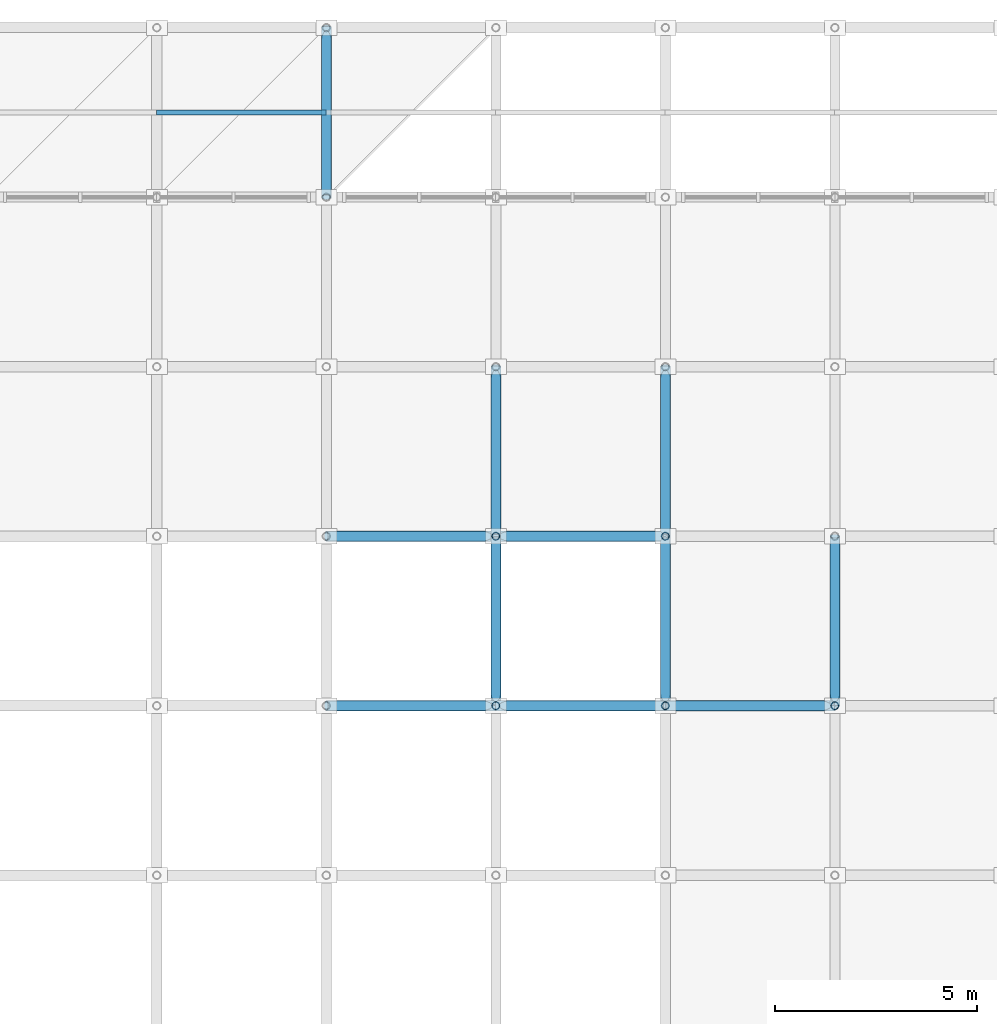
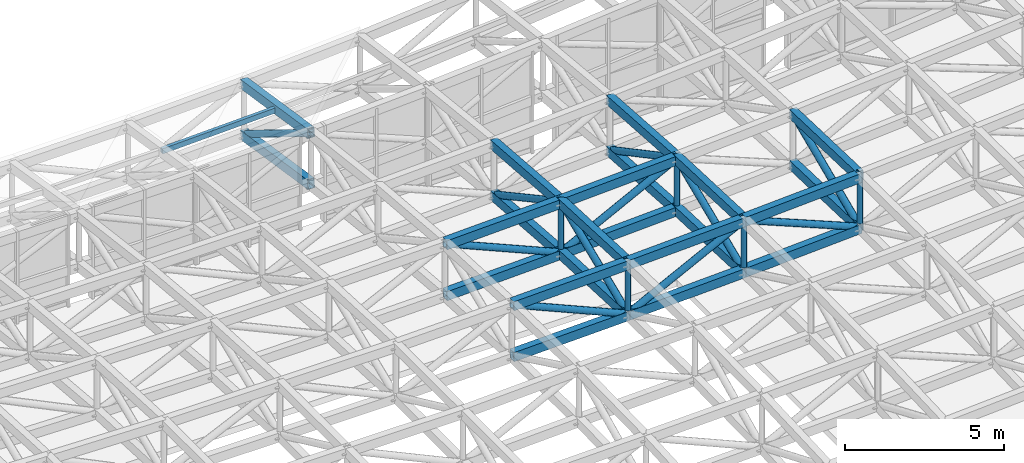
# One storey, part 53 of 111: 39 members.
"""IFC4 building model written with IfcOpenShell, lengths in metres."""

from ifc_helpers import new_model, si_unit, direction, frame, origin, origin_2d, place, context, subcontext, project, spatial, hollow_rectangle, hollow_circle, extrude, material, material_profile, profile_set, type_object, element, save


model = new_model("IFC4")

# Units and contexts
model_context = context("Model", 3, precision=1e-05, world=origin(), true_north=direction((0.0, 1.0)))
body_context = subcontext(model_context, "Body", "Model", "MODEL_VIEW")
ifc_project = project(units=[si_unit("LENGTHUNIT", "METRE"), si_unit("AREAUNIT", "SQUARE_METRE"), si_unit("VOLUMEUNIT", "CUBIC_METRE"), si_unit("PLANEANGLEUNIT", "RADIAN"), si_unit("MASSUNIT", "GRAM", prefix="KILO")], contexts=[model_context])

# Site, building, storey
site_placement = place(None, origin())
site = spatial("IfcSite", under=ifc_project, at=site_placement, CompositionType="ELEMENT")
building_placement = place(site_placement, origin())
building = spatial("IfcBuilding", under=site, at=building_placement, Name="Cumbredor Promenade Congress Hotel", CompositionType="ELEMENT")
storey_placement = place(building_placement, frame((0.0, 0.0, 15.1201171875)))
storey = spatial("IfcBuildingStorey", under=building, at=storey_placement, Name="L04", CompositionType="ELEMENT", Elevation=15.1201171875)

# Members
ifc_material = material(Name="Steel ASTM A500 Grade C", Category="steel")
ifc_material_profile_1 = material_profile(ifc_material, hollow_rectangle(XDim=0.25, YDim=0.35009765625, WallThickness=0.01611328125, at=origin_2d()), Name="HSS 350x250x16")
ifc_profile_set_1 = profile_set([ifc_material_profile_1], Name="Steel ASTM A500 Grade C")
member_type_1 = type_object("IfcMemberType", Name="Forum Roof Truss Chord", PredefinedType="CHORD", material=ifc_profile_set_1)
for number, where, z_axis, x_axis, name in (
    (1, (142.800048828125, 105.0, 4.567626953125), (0.999579574773, 0.0, 0.028994373529), (0.0, 1.0, 0.0), "Pre-Function and Breakout Meeting Forum X Top Chord 14.7"),
    (2, (142.800048828125, 105.0, 2.61767578125), (0.999579574773, 0.0, 0.028994373529), (0.0, 1.0, 0.0), "Pre-Function and Breakout Meeting Forum X Bottom Chord 14.7"),
):
    element("IfcMember", number, at=place(storey_placement, frame(where, z_axis=z_axis, x_axis=x_axis)), inside=storey, type_object=member_type_1, Name=name, PredefinedType="CHORD", context=body_context, shape_type="SweptSolid", body=[
        extrude(hollow_rectangle(XDim=0.25, YDim=0.35009765625, WallThickness=0.01611328125, at=origin_2d()), origin(), (0.0, 0.0, 1.0), 4.20166015625),
    ])
for number, where, z_axis, x_axis, name in (
    (3, (147.0, 105.0, 4.689453125), (0.999182576071, 0.0, 0.040424988255), (0.0, 1.0, 0.0), "Pre-Function and Breakout Meeting Forum X Top Chord 15.7"),
    (4, (147.0, 105.0, 2.739501953125), (0.999182576071, 0.0, 0.040424988255), (0.0, 1.0, 0.0), "Pre-Function and Breakout Meeting Forum X Bottom Chord 15.7"),
):
    element("IfcMember", number, at=place(storey_placement, frame(where, z_axis=z_axis, x_axis=x_axis)), inside=storey, type_object=member_type_1, Name=name, PredefinedType="CHORD", context=body_context, shape_type="SweptSolid", body=[
        extrude(hollow_rectangle(XDim=0.25, YDim=0.35009765625, WallThickness=0.01611328125, at=origin_2d()), origin(), (0.0, 0.0, 1.0), 4.203369140625),
    ])
for number, where, z_axis, x_axis, name in (
    (5, (151.199951171875, 105.0, 4.859375), (0.998643368037, 0.0, 0.052071330648), (0.0, 1.0, 0.0), "Pre-Function and Breakout Meeting Forum X Top Chord 16.7"),
    (6, (151.199951171875, 105.0, 2.909423828125), (0.998643368037, 0.0, 0.052071330648), (0.0, 1.0, 0.0), "Pre-Function and Breakout Meeting Forum X Bottom Chord 16.7"),
):
    element("IfcMember", number, at=place(storey_placement, frame(where, z_axis=z_axis, x_axis=x_axis)), inside=storey, type_object=member_type_1, Name=name, PredefinedType="CHORD", context=body_context, shape_type="SweptSolid", body=[
        extrude(hollow_rectangle(XDim=0.25, YDim=0.35009765625, WallThickness=0.01611328125, at=origin_2d()), origin(), (0.0, 0.0, 1.0), 4.20556640625),
    ])
for number, where, z_axis, x_axis, name in (
    (7, (142.800048828125, 109.199951171875, 4.353271484375), (0.999447676196, 0.0, 0.033231649758), (0.0, 1.0, 0.0), "Pre-Function and Breakout Meeting Forum X Top Chord 14.8"),
    (8, (142.800048828125, 109.199951171875, 2.4033203125), (0.999447676196, 0.0, 0.033231649758), (0.0, 1.0, 0.0), "Pre-Function and Breakout Meeting Forum X Bottom Chord 14.8"),
):
    element("IfcMember", number, at=place(storey_placement, frame(where, z_axis=z_axis, x_axis=x_axis)), inside=storey, type_object=member_type_1, Name=name, PredefinedType="CHORD", context=body_context, shape_type="SweptSolid", body=[
        extrude(hollow_rectangle(XDim=0.25, YDim=0.35009765625, WallThickness=0.01611328125, at=origin_2d()), origin(), (0.0, 0.0, 1.0), 4.202392578125),
    ])
for number, where, z_axis, x_axis, name in (
    (9, (147.0, 109.199951171875, 4.492919921875), (0.998923154887, 0.0, 0.046395372944), (0.0, 1.0, 0.0), "Pre-Function and Breakout Meeting Forum X Top Chord 15.8"),
    (10, (147.0, 109.199951171875, 2.54296875), (0.998923154887, 0.0, 0.046395372944), (0.0, 1.0, 0.0), "Pre-Function and Breakout Meeting Forum X Bottom Chord 15.8"),
):
    element("IfcMember", number, at=place(storey_placement, frame(where, z_axis=z_axis, x_axis=x_axis)), inside=storey, type_object=member_type_1, Name=name, PredefinedType="CHORD", context=body_context, shape_type="SweptSolid", body=[
        extrude(hollow_rectangle(XDim=0.25, YDim=0.35009765625, WallThickness=0.01611328125, at=origin_2d()), origin(), (0.0, 0.0, 1.0), 4.20458984375),
    ])
for number, where, z_axis, x_axis, name in (
    (11, (142.800048828125, 117.60009765625, 3.49609375), (0.0, 0.988549058169, -0.15089983298), (-1.0, 0.0, 0.0), "Pre-Function and Breakout Meeting Forum Y Top Chord 14.10"),
    (12, (142.800048828125, 117.60009765625, 1.546142578125), (0.0, 0.988549058169, -0.15089983298), (-1.0, 0.0, 0.0), "Pre-Function and Breakout Meeting Forum Y Bottom Chord 14.10"),
):
    element("IfcMember", number, at=place(storey_placement, frame(where, z_axis=z_axis, x_axis=x_axis)), inside=storey, type_object=member_type_1, Name=name, PredefinedType="CHORD", context=body_context, shape_type="SweptSolid", body=[
        extrude(hollow_rectangle(XDim=0.25, YDim=0.35009765625, WallThickness=0.01611328125, at=origin_2d()), origin(), (0.0, 0.0, 1.0), 4.24853515625),
    ])
for number, where, z_axis, x_axis, name in (
    (13, (147.0, 105.0, 4.689453125), (0.0, 0.998906947877, -0.046743015349), (-1.0, 0.0, 0.0), "Pre-Function and Breakout Meeting Forum Y Top Chord 15.7"),
    (14, (147.0, 105.0, 2.739501953125), (0.0, 0.998906947877, -0.046743015349), (-1.0, 0.0, 0.0), "Pre-Function and Breakout Meeting Forum Y Bottom Chord 15.7"),
):
    element("IfcMember", number, at=place(storey_placement, frame(where, z_axis=z_axis, x_axis=x_axis)), inside=storey, type_object=member_type_1, Name=name, PredefinedType="CHORD", context=body_context, shape_type="SweptSolid", body=[
        extrude(hollow_rectangle(XDim=0.25, YDim=0.35009765625, WallThickness=0.01611328125, at=origin_2d()), origin(), (0.0, 0.0, 1.0), 4.20458984375),
    ])
for number, where, z_axis, x_axis, name in (
    (15, (147.0, 109.199951171875, 4.492919921875), (0.0, 0.996975556685, -0.07771576013), (-1.0, 0.0, 0.0), "Pre-Function and Breakout Meeting Forum Y Top Chord 15.8"),
    (16, (147.0, 109.199951171875, 2.54296875), (0.0, 0.996975556685, -0.07771576013), (-1.0, 0.0, 0.0), "Pre-Function and Breakout Meeting Forum Y Bottom Chord 15.8"),
):
    element("IfcMember", number, at=place(storey_placement, frame(where, z_axis=z_axis, x_axis=x_axis)), inside=storey, type_object=member_type_1, Name=name, PredefinedType="CHORD", context=body_context, shape_type="SweptSolid", body=[
        extrude(hollow_rectangle(XDim=0.25, YDim=0.35009765625, WallThickness=0.01611328125, at=origin_2d()), origin(), (0.0, 0.0, 1.0), 4.212646484375),
    ])
for number, where, z_axis, x_axis, name in (
    (17, (151.199951171875, 105.0, 4.859375), (0.0, 0.999168439458, -0.040772902662), (-1.0, 0.0, 0.0), "Pre-Function and Breakout Meeting Forum Y Top Chord 16.7"),
    (18, (151.199951171875, 105.0, 2.909423828125), (0.0, 0.999168439458, -0.040772902662), (-1.0, 0.0, 0.0), "Pre-Function and Breakout Meeting Forum Y Bottom Chord 16.7"),
):
    element("IfcMember", number, at=place(storey_placement, frame(where, z_axis=z_axis, x_axis=x_axis)), inside=storey, type_object=member_type_1, Name=name, PredefinedType="CHORD", context=body_context, shape_type="SweptSolid", body=[
        extrude(hollow_rectangle(XDim=0.25, YDim=0.35009765625, WallThickness=0.01611328125, at=origin_2d()), origin(), (0.0, 0.0, 1.0), 4.203369140625),
    ])
for number, where, z_axis, x_axis, name in (
    (19, (151.199951171875, 109.199951171875, 4.68798828125), (0.0, 0.997695217775, -0.067854641911), (-1.0, 0.0, 0.0), "Pre-Function and Breakout Meeting Forum Y Top Chord 16.8"),
    (20, (151.199951171875, 109.199951171875, 2.738037109375), (0.0, 0.997695217775, -0.067854641911), (-1.0, 0.0, 0.0), "Pre-Function and Breakout Meeting Forum Y Bottom Chord 16.8"),
):
    element("IfcMember", number, at=place(storey_placement, frame(where, z_axis=z_axis, x_axis=x_axis)), inside=storey, type_object=member_type_1, Name=name, PredefinedType="CHORD", context=body_context, shape_type="SweptSolid", body=[
        extrude(hollow_rectangle(XDim=0.25, YDim=0.35009765625, WallThickness=0.01611328125, at=origin_2d()), origin(), (0.0, 0.0, 1.0), 4.209716796875),
    ])
for number, where, z_axis, x_axis, name in (
    (21, (155.39990234375, 105.0, 5.078369140625), (0.0, 0.999449604118, -0.033173616459), (-1.0, 0.0, 0.0), "Pre-Function and Breakout Meeting Forum Y Top Chord 17.7"),
    (22, (155.39990234375, 105.0, 3.12841796875), (0.0, 0.999449604118, -0.033173616459), (-1.0, 0.0, 0.0), "Pre-Function and Breakout Meeting Forum Y Bottom Chord 17.7"),
):
    element("IfcMember", number, at=place(storey_placement, frame(where, z_axis=z_axis, x_axis=x_axis)), inside=storey, type_object=member_type_1, Name=name, PredefinedType="CHORD", context=body_context, shape_type="SweptSolid", body=[
        extrude(hollow_rectangle(XDim=0.25, YDim=0.35009765625, WallThickness=0.01611328125, at=origin_2d()), origin(), (0.0, 0.0, 1.0), 4.2021484375),
    ])
ifc_material_profile_2 = material_profile(ifc_material, hollow_rectangle(XDim=0.1201171875, YDim=0.199951171875, WallThickness=0.010009765625, at=origin_2d()), Name="HSS 200x120x10")
ifc_profile_set_2 = profile_set([ifc_material_profile_2], Name="Steel ASTM A500 Grade C")
member_type_2 = type_object("IfcMemberType", Name="Roof Purlin HSS200x120", PredefinedType="PURLIN", material=ifc_profile_set_2)
member_1_placement = place(storey_placement, frame((138.60009765625, 119.699951171875, 3.01318359375), z_axis=(0.999426247166, 0.0, 0.033869993728), x_axis=(0.0, 1.0, 0.0)))
element("IfcMember", 23, at=member_1_placement, inside=storey, type_object=member_type_2, Name="Pre-Function and Breakout Meeting Forum Roof Eave Purlin 13.10", PredefinedType="PURLIN", context=body_context, shape_type="SweptSolid", body=[
    extrude(hollow_rectangle(XDim=0.1201171875, YDim=0.199951171875, WallThickness=0.010009765625, at=origin_2d()), origin(), (0.0, 0.0, 1.0), 4.202392578125),
])
ifc_material_profile_3 = material_profile(ifc_material, hollow_circle(Radius=0.122314453125, WallThickness=0.012451171875, at=origin_2d()), Name="CHS 244.5x12.5")
ifc_profile_set_3 = profile_set([ifc_material_profile_3], Name="Steel ASTM A500 Grade C")
member_type_3 = type_object("IfcMemberType", Name="Space Frame Web Diagonal D2", PredefinedType="BRACE", material=ifc_profile_set_3)
member_2_placement = place(storey_placement, frame((142.800048828125, 105.0, 4.567626953125), z_axis=(0.916905589781, 0.0, -0.399104171149), x_axis=(0.0, 1.0, 0.0)))
element("IfcMember", 24, at=member_2_placement, inside=storey, type_object=member_type_3, Name="Pre-Function and Breakout Meeting Forum X Web Diagonal 14.7", PredefinedType="BRACE", context=body_context, shape_type="SweptSolid", body=[
    extrude(hollow_circle(Radius=0.122314453125, WallThickness=0.012451171875, at=origin_2d()), origin(), (0.0, 0.0, 1.0), 4.58056640625),
])
member_3_placement = place(storey_placement, frame((147.0, 105.0, 2.739501953125), z_axis=(0.892729053499, 0.0, 0.450593871507), x_axis=(0.0, 1.0, 0.0)))
element("IfcMember", 25, at=member_3_placement, inside=storey, type_object=member_type_3, Name="Pre-Function and Breakout Meeting Forum X Web Diagonal 15.7", PredefinedType="BRACE", context=body_context, shape_type="SweptSolid", body=[
    extrude(hollow_circle(Radius=0.122314453125, WallThickness=0.012451171875, at=origin_2d()), origin(), (0.0, 0.0, 1.0), 4.70458984375),
])
member_4_placement = place(storey_placement, frame((151.199951171875, 105.0, 4.859375), z_axis=(0.924556730189, 0.0, -0.381044423475), x_axis=(0.0, 1.0, 0.0)))
element("IfcMember", 26, at=member_4_placement, inside=storey, type_object=member_type_3, Name="Pre-Function and Breakout Meeting Forum X Web Diagonal 16.7", PredefinedType="BRACE", context=body_context, shape_type="SweptSolid", body=[
    extrude(hollow_circle(Radius=0.122314453125, WallThickness=0.012451171875, at=origin_2d()), origin(), (0.0, 0.0, 1.0), 4.542724609375),
])
member_5_placement = place(storey_placement, frame((142.800048828125, 109.199951171875, 4.353271484375), z_axis=(0.918325759137, 0.0, -0.395825466721), x_axis=(0.0, 1.0, 0.0)))
element("IfcMember", 27, at=member_5_placement, inside=storey, type_object=member_type_3, Name="Pre-Function and Breakout Meeting Forum X Web Diagonal 14.8", PredefinedType="BRACE", context=body_context, shape_type="SweptSolid", body=[
    extrude(hollow_circle(Radius=0.122314453125, WallThickness=0.012451171875, at=origin_2d()), origin(), (0.0, 0.0, 1.0), 4.573486328125),
])
member_6_placement = place(storey_placement, frame((147.0, 109.199951171875, 2.54296875), z_axis=(0.890574034395, 0.0, 0.45483831112), x_axis=(0.0, 1.0, 0.0)))
element("IfcMember", 28, at=member_6_placement, inside=storey, type_object=member_type_3, Name="Pre-Function and Breakout Meeting Forum X Web Diagonal 15.8", PredefinedType="BRACE", context=body_context, shape_type="SweptSolid", body=[
    extrude(hollow_circle(Radius=0.122314453125, WallThickness=0.012451171875, at=origin_2d()), origin(), (0.0, 0.0, 1.0), 4.716064453125),
])
member_7_placement = place(storey_placement, frame((142.800048828125, 117.60009765625, 3.49609375), z_axis=(0.0, 0.851071760638, -0.525049386482), x_axis=(-1.0, 0.0, 0.0)))
element("IfcMember", 29, at=member_7_placement, inside=storey, type_object=member_type_3, Name="Pre-Function and Breakout Meeting Forum Y Web Diagonal 14.10", PredefinedType="BRACE", context=body_context, shape_type="SweptSolid", body=[
    extrude(hollow_circle(Radius=0.122314453125, WallThickness=0.012451171875, at=origin_2d()), origin(), (0.0, 0.0, 1.0), 4.934814453125),
])
member_8_placement = place(storey_placement, frame((147.0, 105.0, 2.739501953125), z_axis=(0.0, 0.922808487132, 0.385258998697), x_axis=(-1.0, 0.0, 0.0)))
element("IfcMember", 30, at=member_8_placement, inside=storey, type_object=member_type_3, Name="Pre-Function and Breakout Meeting Forum Y Web Diagonal 15.7", PredefinedType="BRACE", context=body_context, shape_type="SweptSolid", body=[
    extrude(hollow_circle(Radius=0.122314453125, WallThickness=0.012451171875, at=origin_2d()), origin(), (0.0, 0.0, 1.0), 4.55126953125),
])
member_9_placement = place(storey_placement, frame((147.0, 109.199951171875, 4.492919921875), z_axis=(0.0, 0.879084119381, -0.476666666604), x_axis=(-1.0, 0.0, 0.0)))
element("IfcMember", 31, at=member_9_placement, inside=storey, type_object=member_type_3, Name="Pre-Function and Breakout Meeting Forum Y Web Diagonal 15.8", PredefinedType="BRACE", context=body_context, shape_type="SweptSolid", body=[
    extrude(hollow_circle(Radius=0.122314453125, WallThickness=0.012451171875, at=origin_2d()), origin(), (0.0, 0.0, 1.0), 4.777587890625),
])
member_10_placement = place(storey_placement, frame((151.199951171875, 105.0, 2.909423828125), z_axis=(0.0, 0.920836435886, 0.389949045831), x_axis=(-1.0, 0.0, 0.0)))
element("IfcMember", 32, at=member_10_placement, inside=storey, type_object=member_type_3, Name="Pre-Function and Breakout Meeting Forum Y Web Diagonal 16.7", PredefinedType="BRACE", context=body_context, shape_type="SweptSolid", body=[
    extrude(hollow_circle(Radius=0.122314453125, WallThickness=0.012451171875, at=origin_2d()), origin(), (0.0, 0.0, 1.0), 4.56103515625),
])
member_11_placement = place(storey_placement, frame((151.199951171875, 109.199951171875, 4.68798828125), z_axis=(0.0, 0.882734744534, -0.469871653531), x_axis=(-1.0, 0.0, 0.0)))
element("IfcMember", 33, at=member_11_placement, inside=storey, type_object=member_type_3, Name="Pre-Function and Breakout Meeting Forum Y Web Diagonal 16.8", PredefinedType="BRACE", context=body_context, shape_type="SweptSolid", body=[
    extrude(hollow_circle(Radius=0.122314453125, WallThickness=0.012451171875, at=origin_2d()), origin(), (0.0, 0.0, 1.0), 4.7578125),
])
member_12_placement = place(storey_placement, frame((155.39990234375, 105.0, 3.12841796875), z_axis=(0.0, 0.918306354363, 0.395870483285), x_axis=(-1.0, 0.0, 0.0)))
element("IfcMember", 34, at=member_12_placement, inside=storey, type_object=member_type_3, Name="Pre-Function and Breakout Meeting Forum Y Web Diagonal 17.7", PredefinedType="BRACE", context=body_context, shape_type="SweptSolid", body=[
    extrude(hollow_circle(Radius=0.122314453125, WallThickness=0.012451171875, at=origin_2d()), origin(), (0.0, 0.0, 1.0), 4.573486328125),
])
ifc_material_profile_4 = material_profile(ifc_material, hollow_circle(Radius=0.096923828125, WallThickness=0.010009765625, at=origin_2d()), Name="CHS 193.7x10")
ifc_profile_set_4 = profile_set([ifc_material_profile_4], Name="Steel ASTM A500 Grade C")
member_type_4 = type_object("IfcMemberType", Name="Space Frame Web Post P1", PredefinedType="BRACE", material=ifc_profile_set_4)
for number, where, z_axis, x_axis, name in (
    (35, (147.0, 105.0, 2.739501953125), (0.0, 0.0, 1.0), (1.0, 0.0, 0.0), "Pre-Function and Breakout Meeting Forum Space Frame Web Post 15.7"),
    (36, (147.0, 109.199951171875, 2.54296875), (0.0, 0.0, 1.0), (1.0, 0.0, 0.0), "Pre-Function and Breakout Meeting Forum Space Frame Web Post 15.8"),
    (37, (151.199951171875, 105.0, 2.909423828125), (0.0, 0.0, 1.0), (1.0, 0.0, 0.0), "Pre-Function and Breakout Meeting Forum Space Frame Web Post 16.7"),
    (38, (151.199951171875, 109.199951171875, 2.738037109375), (0.0, 0.0, 1.0), (1.0, 0.0, 0.0), "Pre-Function and Breakout Meeting Forum Space Frame Web Post 16.8"),
    (39, (155.39990234375, 105.0, 3.12841796875), (0.0, 0.0, 1.0), (1.0, 0.0, 0.0), "Pre-Function and Breakout Meeting Forum Space Frame Web Post 17.7"),
):
    element("IfcMember", number, at=place(storey_placement, frame(where, z_axis=z_axis, x_axis=x_axis)), inside=storey, type_object=member_type_4, Name=name, PredefinedType="BRACE", context=body_context, shape_type="SweptSolid", body=[
        extrude(hollow_circle(Radius=0.096923828125, WallThickness=0.010009765625, at=origin_2d()), origin(), (0.0, 0.0, 1.0), 1.949951171875),
    ])

save(model, "model.ifc")
